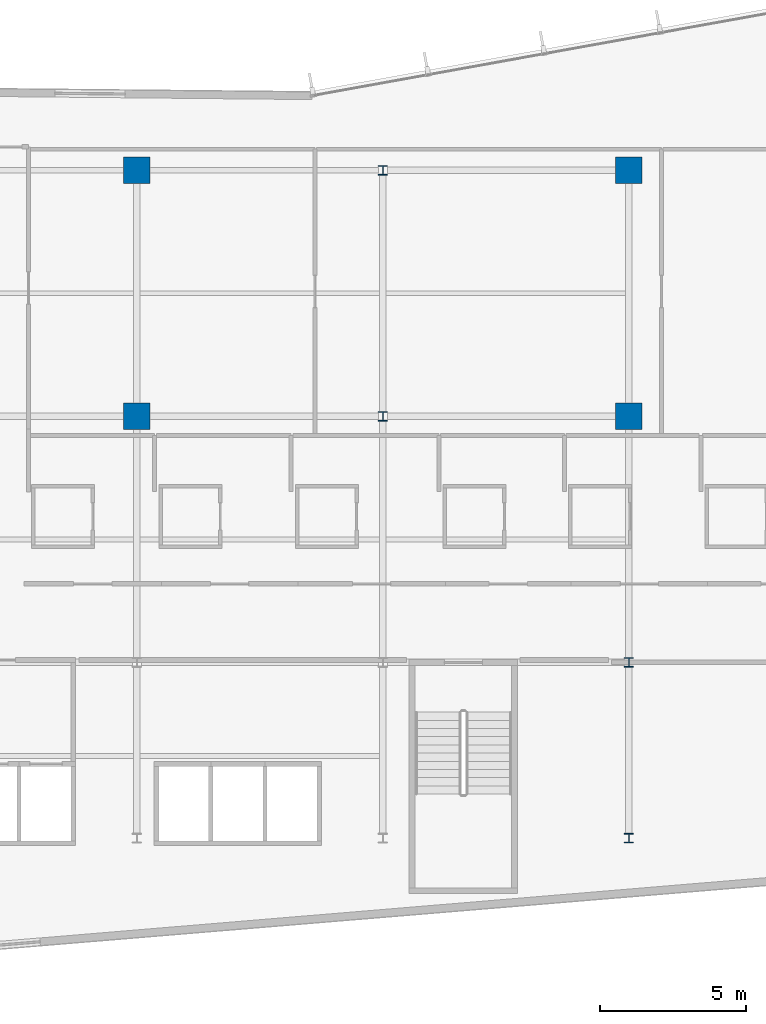
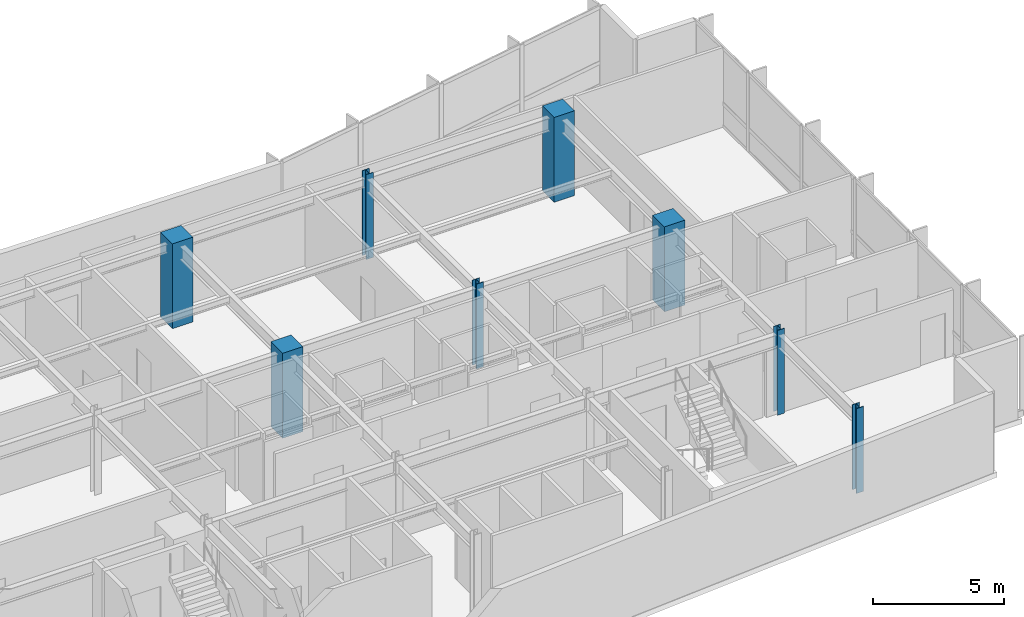
# One storey, part 2 of 20: 8 columns.
"""IFC4 building model written with IfcOpenShell, lengths in metres."""

import ifcopenshell
import ifcopenshell.guid

model = None  # the IFC model being written
_history = None  # IfcOwnerHistory: only IFC2X3 demands one
_inside = {}  # id of a spatial element -> (the spatial element, [elements in it])
_under = {}  # id of a project, library or spatial element -> (it, [spatial elements below it])
_declared = {}  # id of a project -> (the project, [libraries it declares])
_typed = {}  # id of a type object -> (the type object, [elements of that type])
_made_of = {}  # id of a material, layer set ... -> (it, [elements and type objects made of it])


def new_model(schema):
    """Start an empty IFC model of exactly this schema.

    Asked for "IFC4X3", IfcOpenShell would pick the latest addendum, in which some entities
    have other attributes; the version numbers below select the first issue.
    IFC2X3 requires an IfcOwnerHistory on every rooted entity: one is made here for all.
    """
    global model, _history
    if schema == "IFC4X3":
        model = ifcopenshell.file(schema_version=(4, 3, 0, 0))
    else:
        model = ifcopenshell.file(schema=schema)
    _inside.clear()
    _under.clear()
    _declared.clear()
    _typed.clear()
    _made_of.clear()
    _history = None
    if model.schema == "IFC2X3":
        org = make("IfcOrganization", Name="unknown")
        user = make(
            "IfcPersonAndOrganization",
            ThePerson=make("IfcPerson", FamilyName="unknown"),
            TheOrganization=org,
        )
        app = make(
            "IfcApplication",
            ApplicationDeveloper=org,
            Version="unknown",
            ApplicationFullName="unknown",
            ApplicationIdentifier="unknown",
        )
        _history = make(
            "IfcOwnerHistory",
            OwningUser=user,
            OwningApplication=app,
            ChangeAction="ADDED",
            CreationDate=0,
        )
    return model


def make(cls, **values):
    """One entity of the class cls with the attributes given. An attribute that is None is left unset."""
    return model.create_entity(
        cls, **{name: value for name, value in values.items() if value is not None}
    )


def rooted(cls, **values):
    """An entity with a GlobalId (a new one), such as an element, a storey or a relation."""
    return make(cls, GlobalId=ifcopenshell.guid.new(), OwnerHistory=_history, **values)


def si_unit(unit_type, name, prefix=None):
    """IfcSIUnit, for example si_unit("LENGTHUNIT", "METRE", prefix="MILLI")."""
    return make("IfcSIUnit", UnitType=unit_type, Prefix=prefix, Name=name)


def assignment(units):
    """IfcUnitAssignment: the units of a project."""
    return None if units is None else make("IfcUnitAssignment", Units=units)


def point(xyz):
    """IfcCartesianPoint."""
    return None if xyz is None else make("IfcCartesianPoint", Coordinates=xyz)


def direction(xyz):
    """IfcDirection."""
    return None if xyz is None else make("IfcDirection", DirectionRatios=xyz)


def frame(location, z_axis=None, x_axis=None):
    """IfcAxis2Placement3D, a coordinate frame: its origin and axes. An axis left out is left unset."""
    return make(
        "IfcAxis2Placement3D",
        Location=point(location),
        Axis=direction(z_axis),
        RefDirection=direction(x_axis),
    )


def frame_2d(location, x_axis=None):
    """IfcAxis2Placement2D, a coordinate frame in the plane: its origin and x axis."""
    return make(
        "IfcAxis2Placement2D", Location=point(location), RefDirection=direction(x_axis)
    )


def origin():
    """The frame at (0, 0, 0) with its axes left unset."""
    return frame((0.0, 0.0, 0.0))


def origin_2d():
    """The frame at (0, 0) in the plane with its x axis left unset."""
    return frame_2d((0.0, 0.0))


def place(relative_to, where):
    """IfcLocalPlacement: puts the frame where relative to a parent placement (None: the world)."""
    return make(
        "IfcLocalPlacement", PlacementRelTo=relative_to, RelativePlacement=where
    )


def context(
    kind, dimensions, precision=None, world=None, true_north=None, identifier=None
):
    """IfcGeometricRepresentationContext, for example the 3D "Model" context."""
    return make(
        "IfcGeometricRepresentationContext",
        ContextIdentifier=identifier,
        ContextType=kind,
        CoordinateSpaceDimension=dimensions,
        Precision=precision,
        WorldCoordinateSystem=world,
        TrueNorth=true_north,
    )


def subcontext(parent, identifier, kind, view, scale=None):
    """IfcGeometricRepresentationSubContext, for example "Body" below "Model"."""
    return make(
        "IfcGeometricRepresentationSubContext",
        ContextIdentifier=identifier,
        ContextType=kind,
        ParentContext=parent,
        TargetScale=scale,
        TargetView=view,
    )


def project(units=None, contexts=None):
    """IfcProject with its units and contexts."""
    return rooted(
        "IfcProject",
        Name="project",
        RepresentationContexts=contexts,
        UnitsInContext=assignment(units),
    )


def spatial(cls, under=None, at=None, **own):
    """A site, building, storey or space (cls), placed at a placement, below another one or the project."""
    s = rooted(cls, ObjectPlacement=at, **own)
    if under is not None:
        _under.setdefault(under.id(), (under, []))[1].append(s)
    return s


def profile(cls, at=None, kind="AREA", **sizes):
    """A parametric profile (cls). Its sizes go by their IFC names, for example OverallWidth=200.0."""
    return make(cls, ProfileType=kind, Position=at, **sizes)


def rectangle(**sizes):
    """IfcRectangleProfileDef."""
    return profile("IfcRectangleProfileDef", **sizes)


def i_section(**sizes):
    """IfcIShapeProfileDef."""
    return profile("IfcIShapeProfileDef", **sizes)


def extrude(swept, where, along, depth):
    """IfcExtrudedAreaSolid: the profile swept, set in the frame where, extruded along a direction by depth."""
    return make(
        "IfcExtrudedAreaSolid",
        SweptArea=swept,
        Position=where,
        ExtrudedDirection=direction(along),
        Depth=depth,
    )


def shape(context_of_items, identifier, shape_type, items):
    """IfcShapeRepresentation: the items that make up one representation, for example the "Body"."""
    return make(
        "IfcShapeRepresentation",
        ContextOfItems=context_of_items,
        RepresentationIdentifier=identifier,
        RepresentationType=shape_type,
        Items=items,
    )


def material(Name=None, Category=None):
    """IfcMaterial."""
    return make("IfcMaterial", Name=Name, Category=Category)


def material_profile(
    of_material, cross_section, Name=None, Category=None, Priority=None
):
    """IfcMaterialProfile: a cross section and its material."""
    return make(
        "IfcMaterialProfile",
        Name=Name,
        Material=of_material,
        Profile=cross_section,
        Priority=Priority,
        Category=Category,
    )


def profile_set(profiles, Name=None, composite=None):
    """IfcMaterialProfileSet."""
    return make(
        "IfcMaterialProfileSet",
        Name=Name,
        MaterialProfiles=profiles,
        CompositeProfile=composite,
    )


def made_of(thing, what):
    """Note that an element or type object is made of a material, layer set ...; save() writes the relation."""
    if what is not None:
        _made_of.setdefault(what.id(), (what, []))[1].append(thing)
    return thing


def type_object(cls, material=None, **own):
    """A type object (cls), such as IfcWallType, which elements share."""
    return made_of(rooted(cls, **own), material)


def element(
    cls,
    number,
    at=None,
    inside=None,
    cuts=None,
    type_object=None,
    material=None,
    context=None,
    identifier="Body",
    shape_type=None,
    held_by="IfcProductDefinitionShape",
    body=None,
    shapes=None,
    **own,
):
    """One element of the class cls, such as IfcWall. Its Tag is "e" and its number.

    at: its placement. inside: the storey or other place that contains it. cuts: it is an
    opening in that element (IfcRelVoidsElement). A single representation is given by context,
    identifier, shape_type and body (its items); several are given by shapes. held_by: the class
    of the entity that holds the representations. save() writes the other relations.
    """
    e = rooted(cls, Tag="e%d" % number, ObjectPlacement=at, **own)
    if body is not None:
        shapes = [shape(context, identifier, shape_type, body)]
    if shapes is not None:
        e.Representation = make(held_by, Representations=shapes)
    if inside is not None:
        _inside.setdefault(inside.id(), (inside, []))[1].append(e)
    if cuts is not None:
        rooted(
            "IfcRelVoidsElement", RelatingBuildingElement=cuts, RelatedOpeningElement=e
        )
    if type_object is not None:
        _typed.setdefault(type_object.id(), (type_object, []))[1].append(e)
    return made_of(e, material)


def aggregate(whole, parts):
    """IfcRelAggregates: a whole, such as a stair, and the parts it consists of."""
    return rooted("IfcRelAggregates", RelatingObject=whole, RelatedObjects=parts)


def save(model, path):
    """Write the relations noted so far, then the file.

    IfcRelAggregates (storeys below a building ...), IfcRelContainedInSpatialStructure (elements
    in a storey), IfcRelDefinesByType, IfcRelAssociatesMaterial and IfcRelDeclares: one each for
    every whole, place, type object, material and project.
    """
    for whole, parts in _under.values():
        aggregate(whole, parts)
    for where, things in _inside.values():
        rooted(
            "IfcRelContainedInSpatialStructure",
            RelatedElements=things,
            RelatingStructure=where,
        )
    for kind, things in _typed.values():
        rooted("IfcRelDefinesByType", RelatedObjects=things, RelatingType=kind)
    for what, things in _made_of.values():
        rooted("IfcRelAssociatesMaterial", RelatedObjects=things, RelatingMaterial=what)
    for by, libraries in _declared.values():
        rooted("IfcRelDeclares", RelatingContext=by, RelatedDefinitions=libraries)
    model.write(path)


model = new_model("IFC4")

# Units and contexts
model_context = context("Model", 3, precision=1e-05, world=origin(), true_north=direction((0.0, 1.0)))
body_context = subcontext(model_context, "Body", "Model", "MODEL_VIEW")
ifc_project = project(units=[si_unit("LENGTHUNIT", "METRE"), si_unit("AREAUNIT", "SQUARE_METRE"), si_unit("VOLUMEUNIT", "CUBIC_METRE"), si_unit("PLANEANGLEUNIT", "RADIAN"), si_unit("MASSUNIT", "GRAM", prefix="KILO")], contexts=[model_context])

# Site, building, storey
site_placement = place(None, origin())
site = spatial("IfcSite", under=ifc_project, at=site_placement, CompositionType="ELEMENT")
building_placement = place(site_placement, origin())
building = spatial("IfcBuilding", under=site, at=building_placement, Name="Varnakote Quay Hospital", CompositionType="ELEMENT")
storey_placement = place(building_placement, frame((0.0, 0.0, 81.75)))
storey = spatial("IfcBuildingStorey", under=building, at=storey_placement, Name="L20", CompositionType="ELEMENT", Elevation=81.75)

# Columns
ifc_material_1 = material(Name="Concrete N50 (f'c 50 MPa)", Category="concrete")
ifc_material_profile_1 = material_profile(ifc_material_1, rectangle(XDim=0.89990234375, YDim=0.89990234375, at=origin_2d()), Name="RC-COL-900x900")
ifc_profile_set_1 = profile_set([ifc_material_profile_1], Name="Concrete N50 (f'c 50 MPa)")
column_type_1 = type_object("IfcColumnType", Name="COL-RC-900", PredefinedType="COLUMN", material=ifc_profile_set_1)
for number, where, z_axis, x_axis, name in (
    (1, (33.60009765625, 20.39990234375, 0.0), (0.0, 0.0, 1.0), (1.0, 0.0, 0.0), "L20 Structural Column C-34-20"),
    (2, (50.39990234375, 20.39990234375, 0.0), (0.0, 0.0, 1.0), (1.0, 0.0, 0.0), "L20 Structural Column C-50-20"),
    (3, (33.60009765625, 28.800048828125, 0.0), (0.0, 0.0, 1.0), (1.0, 0.0, 0.0), "L20 Structural Column C-34-29"),
    (4, (50.39990234375, 28.800048828125, 0.0), (0.0, 0.0, 1.0), (1.0, 0.0, 0.0), "L20 Structural Column C-50-29"),
):
    element("IfcColumn", number, at=place(storey_placement, frame(where, z_axis=z_axis, x_axis=x_axis)), inside=storey, type_object=column_type_1, Name=name, PredefinedType="COLUMN", context=body_context, shape_type="SweptSolid", body=[
        extrude(rectangle(XDim=0.89990234375, YDim=0.89990234375, at=origin_2d()), origin(), (0.0, 0.0, 1.0), 3.949951171875),
    ])
ifc_material_2 = material(Name="Structural steel AS/NZS 3679.1 Grade 350 L0 (fy 340 MPa)", Category="steel")
ifc_material_profile_2 = material_profile(ifc_material_2, i_section(OverallWidth=0.31103515625, OverallDepth=0.326904296875, WebThickness=0.015625, FlangeThickness=0.02490234375, FilletRadius=0.0166015625, at=origin_2d()), Name="310UC158")
ifc_profile_set_2 = profile_set([ifc_material_profile_2], Name="Structural steel AS/NZS 3679.1 Grade 350 L0 (fy 340 MPa)")
column_type_2 = type_object("IfcColumnType", Name="COL-STL-310UC158", PredefinedType="COLUMN", material=ifc_profile_set_2)
for number, where, z_axis, x_axis, name in (
    (5, (50.39990234375, 6.0, 0.0), (0.0, 0.0, 1.0), (1.0, 0.0, 0.0), "L20 Structural Column C-50-6"),
    (6, (50.39990234375, 12.0, 0.0), (0.0, 0.0, 1.0), (1.0, 0.0, 0.0), "L20 Structural Column C-50-12"),
    (7, (42.0, 20.39990234375, 0.0), (0.0, 0.0, 1.0), (1.0, 0.0, 0.0), "L20 Structural Column C-42-20"),
    (8, (42.0, 28.800048828125, 0.0), (0.0, 0.0, 1.0), (1.0, 0.0, 0.0), "L20 Structural Column C-42-29"),
):
    element("IfcColumn", number, at=place(storey_placement, frame(where, z_axis=z_axis, x_axis=x_axis)), inside=storey, type_object=column_type_2, Name=name, PredefinedType="COLUMN", context=body_context, shape_type="SweptSolid", body=[
        extrude(i_section(OverallWidth=0.31103515625, OverallDepth=0.326904296875, WebThickness=0.015625, FlangeThickness=0.02490234375, FilletRadius=0.0166015625, at=origin_2d()), origin(), (0.0, 0.0, 1.0), 3.949951171875),
    ])

save(model, "model.ifc")
